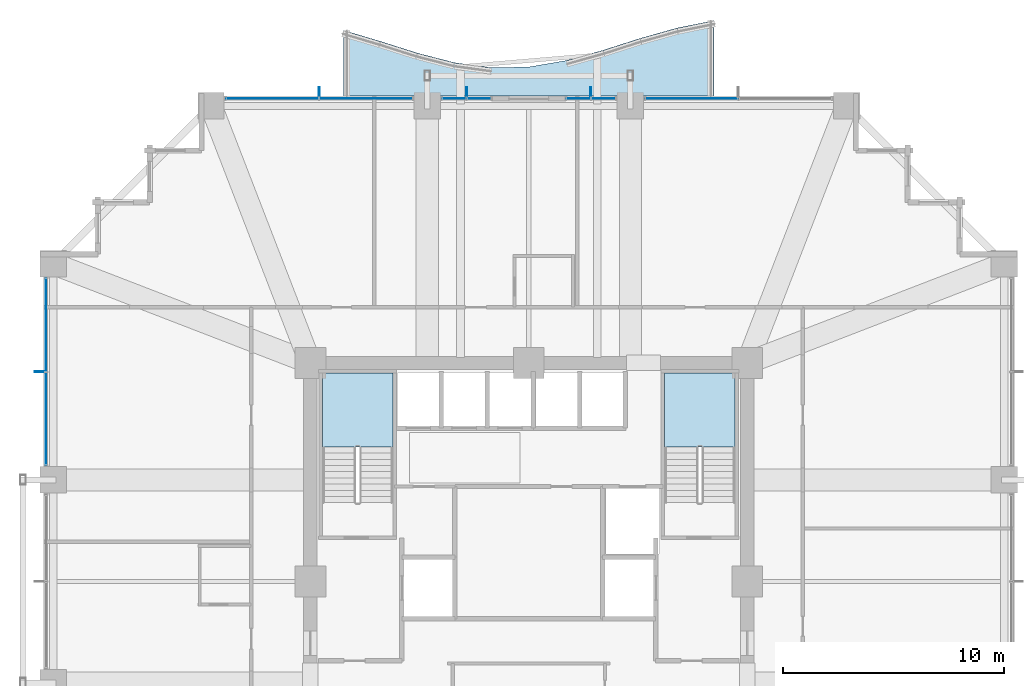
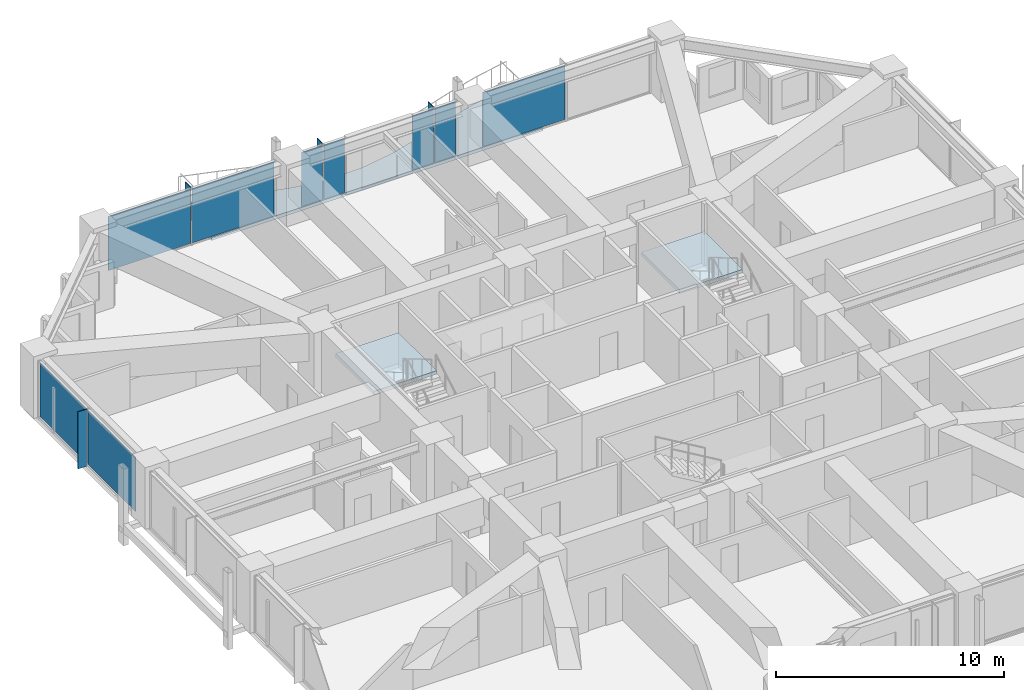
# One storey, part 29 of 37: 13 plates, 3 slabs, 7 elements without a shape of their own.
"""IFC4 building model written with IfcOpenShell, lengths in metres."""

from ifc_helpers import new_model, si_unit, direction, frame, origin, origin_2d, place, context, subcontext, project, spatial, polyline, rectangle, outline, extrude, material, layer, layer_set, type_object, element, aggregate, save


model = new_model("IFC4")

# Units and contexts
model_context = context("Model", 3, precision=1e-05, world=origin(), true_north=direction((0.0, 1.0)))
body_context = subcontext(model_context, "Body", "Model", "MODEL_VIEW")
ifc_project = project(units=[si_unit("LENGTHUNIT", "METRE"), si_unit("AREAUNIT", "SQUARE_METRE"), si_unit("VOLUMEUNIT", "CUBIC_METRE"), si_unit("PLANEANGLEUNIT", "RADIAN"), si_unit("MASSUNIT", "GRAM", prefix="KILO")], contexts=[model_context])

# Site, building, storey
site_placement = place(None, origin())
site = spatial("IfcSite", under=ifc_project, at=site_placement, CompositionType="ELEMENT")
building_placement = place(site_placement, origin())
building = spatial("IfcBuilding", under=site, at=building_placement, Name="Kolvaren Belvedere", CompositionType="ELEMENT")
storey_placement = place(building_placement, frame((0.0, 0.0, 43.60009765625)))
storey = spatial("IfcBuildingStorey", under=building, at=storey_placement, Name="L12", CompositionType="ELEMENT", Elevation=43.60009765625)

# Curtain wall, plates
ifc_material_1 = material(Name="Anodised pale-metal aluminium AA 6063-T6", Category="aluminium")
curtain_wall_type = type_object("IfcCurtainWallType", Name="CW-Z1-LOW", PredefinedType="NOTDEFINED", material=ifc_material_1)
curtain_wall_1_placement = place(storey_placement, origin())
curtain_wall_1 = element("IfcCurtainWall", 1, at=curtain_wall_1_placement, inside=storey, type_object=curtain_wall_type, Name="L12 Unitised Curtain Wall FCW-L12-N1-B1", PredefinedType="NOTDEFINED")
ifc_material_2 = material(Name="Low-iron triple insulated glass", Category="glass")
ifc_layer_1 = layer(ifc_material_2, 0.028076171875)
ifc_layer_set_1 = layer_set([ifc_layer_1], Name="Low-iron triple insulated glass")
plate_type_1 = type_object("IfcPlateType", Name="CW-PNL-VIS28", PredefinedType="CURTAIN_PANEL", material=ifc_layer_set_1)
plate_1_placement = place(storey_placement, frame((-11.62255859375, 21.8798828125, 0.079833984375), z_axis=(0.0, 0.0, 1.0), x_axis=(1.0, 0.0, 0.0)))
plate_1 = element("IfcPlate", 2, at=plate_1_placement, type_object=plate_type_1, Name="FCW-L12-N1-B1 Vision Glazing Panel 1", PredefinedType="CURTAIN_PANEL", context=body_context, shape_type="SweptSolid", body=[
    extrude(rectangle(XDim=4.1650390625, YDim=0.028076171875, at=origin_2d()), origin(), (0.0, 0.0, 1.0), 2.89990234375),
])
plate_2_placement = place(storey_placement, frame((-7.37744140625, 21.8798828125, 0.079833984375), z_axis=(0.0, 0.0, 1.0), x_axis=(1.0, 0.0, 0.0)))
plate_2 = element("IfcPlate", 3, at=plate_2_placement, type_object=plate_type_1, Name="FCW-L12-N1-B1 Vision Glazing Panel 2", PredefinedType="CURTAIN_PANEL", context=body_context, shape_type="SweptSolid", body=[
    extrude(rectangle(XDim=4.1650390625, YDim=0.028076171875, at=origin_2d()), origin(), (0.0, 0.0, 1.0), 2.89990234375),
])
aggregate(curtain_wall_1, [plate_1, plate_2])

curtain_wall_2_placement = place(storey_placement, origin())
curtain_wall_2 = element("IfcCurtainWall", 4, at=curtain_wall_2_placement, inside=storey, type_object=curtain_wall_type, Name="L12 Unitised Curtain Wall FCW-L12-N1-B2", PredefinedType="NOTDEFINED")
plate_3_placement = place(storey_placement, frame((-3.37890625, 21.8798828125, 0.079833984375), z_axis=(0.0, 0.0, 1.0), x_axis=(1.0, 0.0, 0.0)))
plate_3 = element("IfcPlate", 5, at=plate_3_placement, type_object=plate_type_1, Name="FCW-L12-N1-B2 Vision Glazing Panel 1", PredefinedType="CURTAIN_PANEL", context=body_context, shape_type="SweptSolid", body=[
    extrude(rectangle(XDim=1.052490234375, YDim=0.028076171875, at=origin_2d()), origin(), (0.0, 0.0, 1.0), 2.89990234375),
])
plate_4_placement = place(storey_placement, frame((-2.24609375, 21.8798828125, 0.079833984375), z_axis=(0.0, 0.0, 1.0), x_axis=(1.0, 0.0, 0.0)))
plate_4 = element("IfcPlate", 6, at=plate_4_placement, type_object=plate_type_1, Name="FCW-L12-N1-B2 Vision Glazing Panel 2", PredefinedType="CURTAIN_PANEL", context=body_context, shape_type="SweptSolid", body=[
    extrude(rectangle(XDim=1.052490234375, YDim=0.028076171875, at=origin_2d()), origin(), (0.0, 0.0, 1.0), 2.89990234375),
])
aggregate(curtain_wall_2, [plate_3, plate_4])

curtain_wall_3_placement = place(storey_placement, origin())
curtain_wall_3 = element("IfcCurtainWall", 7, at=curtain_wall_3_placement, inside=storey, type_object=curtain_wall_type, Name="L12 Unitised Curtain Wall FCW-L12-N2-B1", PredefinedType="NOTDEFINED")
plate_5_placement = place(storey_placement, frame((2.24609375, 21.8798828125, 0.079833984375), z_axis=(0.0, 0.0, 1.0), x_axis=(1.0, 0.0, 0.0)))
plate_5 = element("IfcPlate", 8, at=plate_5_placement, type_object=plate_type_1, Name="FCW-L12-N2-B1 Vision Glazing Panel 1", PredefinedType="CURTAIN_PANEL", context=body_context, shape_type="SweptSolid", body=[
    extrude(rectangle(XDim=1.052490234375, YDim=0.028076171875, at=origin_2d()), origin(), (0.0, 0.0, 1.0), 2.89990234375),
])
plate_6_placement = place(storey_placement, frame((3.378662109375, 21.8798828125, 0.079833984375), z_axis=(0.0, 0.0, 1.0), x_axis=(1.0, 0.0, 0.0)))
plate_6 = element("IfcPlate", 9, at=plate_6_placement, type_object=plate_type_1, Name="FCW-L12-N2-B1 Vision Glazing Panel 2", PredefinedType="CURTAIN_PANEL", context=body_context, shape_type="SweptSolid", body=[
    extrude(rectangle(XDim=1.052490234375, YDim=0.028076171875, at=origin_2d()), origin(), (0.0, 0.0, 1.0), 2.89990234375),
])
aggregate(curtain_wall_3, [plate_5, plate_6])

# Curtain wall, plate
curtain_wall_4_placement = place(storey_placement, origin())
curtain_wall_4 = element("IfcCurtainWall", 10, at=curtain_wall_4_placement, inside=storey, type_object=curtain_wall_type, Name="L12 Unitised Curtain Wall FCW-L12-N2-B2", PredefinedType="NOTDEFINED")
plate_7_placement = place(storey_placement, frame((7.37744140625, 21.8798828125, 0.079833984375), z_axis=(0.0, 0.0, 1.0), x_axis=(1.0, 0.0, 0.0)))
plate_7 = element("IfcPlate", 11, at=plate_7_placement, type_object=plate_type_1, Name="FCW-L12-N2-B2 Vision Glazing Panel 1", PredefinedType="CURTAIN_PANEL", context=body_context, shape_type="SweptSolid", body=[
    extrude(rectangle(XDim=4.1650390625, YDim=0.028076171875, at=origin_2d()), origin(), (0.0, 0.0, 1.0), 2.89990234375),
])
aggregate(curtain_wall_4, [plate_7])

# Curtain wall, plates
curtain_wall_5_placement = place(storey_placement, origin())
curtain_wall_5 = element("IfcCurtainWall", 12, at=curtain_wall_5_placement, inside=storey, type_object=curtain_wall_type, Name="L12 Unitised Curtain Wall FCW-L12-W-B3", PredefinedType="NOTDEFINED")
plate_8_placement = place(storey_placement, frame((-21.8798828125, 7.37744140625, 0.079833984375), z_axis=(0.0, 0.0, 1.0), x_axis=(0.0, 1.0, 0.0)))
plate_8 = element("IfcPlate", 13, at=plate_8_placement, type_object=plate_type_1, Name="FCW-L12-W-B3 Vision Glazing Panel 1", PredefinedType="CURTAIN_PANEL", context=body_context, shape_type="SweptSolid", body=[
    extrude(rectangle(XDim=4.1650390625, YDim=0.028076171875, at=origin_2d()), origin(), (0.0, 0.0, 1.0), 2.89990234375),
])
plate_9_placement = place(storey_placement, frame((-21.8798828125, 11.62255859375, 0.079833984375), z_axis=(0.0, 0.0, 1.0), x_axis=(0.0, 1.0, 0.0)))
plate_9 = element("IfcPlate", 14, at=plate_9_placement, type_object=plate_type_1, Name="FCW-L12-W-B3 Vision Glazing Panel 2", PredefinedType="CURTAIN_PANEL", context=body_context, shape_type="SweptSolid", body=[
    extrude(rectangle(XDim=4.1650390625, YDim=0.028076171875, at=origin_2d()), origin(), (0.0, 0.0, 1.0), 2.89990234375),
])
aggregate(curtain_wall_5, [plate_8, plate_9])

# Plates
ifc_material_3 = material(Name="Anodised pale-metal aluminium AA 6063-T6", Category="aluminium")
ifc_layer_2 = layer(ifc_material_3, 0.0380859375)
ifc_layer_set_2 = layer_set([ifc_layer_2], Name="Anodised pale-metal aluminium AA 6063-T6")
plate_type_2 = type_object("IfcPlateType", Name="FIN-VERT-450", PredefinedType="USERDEFINED", material=ifc_layer_set_2)
for number, where, z_axis, x_axis, name in (
    (15, (-9.5, 22.1650390625, -0.000244140625), (0.0, 0.0, 1.0), (0.0, 1.0, 0.0), "L12 Pale-Metal Vertical Shading Fin FCW-L12-N1-B1-1"),
    (16, (-2.8125, 22.1650390625, -0.000244140625), (0.0, 0.0, 1.0), (0.0, 1.0, 0.0), "L12 Pale-Metal Vertical Shading Fin FCW-L12-N1-B2-1"),
    (17, (2.8125, 22.1650390625, -0.000244140625), (0.0, 0.0, 1.0), (0.0, 1.0, 0.0), "L12 Pale-Metal Vertical Shading Fin FCW-L12-N2-B1-1"),
    (18, (-22.1650390625, 9.5, -0.000244140625), (0.0, 0.0, 1.0), (1.0, 0.0, 0.0), "L12 Pale-Metal Vertical Shading Fin FCW-L12-W-B3-1"),
):
    element("IfcPlate", number, at=place(storey_placement, frame(where, z_axis=z_axis, x_axis=x_axis)), inside=storey, type_object=plate_type_2, Name=name, ObjectType="VERTICAL FIN", PredefinedType="USERDEFINED", context=body_context, shape_type="SweptSolid", body=[
        extrude(rectangle(XDim=0.449951171875, YDim=0.0380859375, at=origin_2d()), origin(), (0.0, 0.0, 1.0), 3.06005859375),
    ])

# Slab
ifc_material_4 = material(Name="Concrete C50/60", Category="concrete")
ifc_layer_3 = layer(ifc_material_4, 0.179931640625)
ifc_layer_set_3 = layer_set([ifc_layer_3], Name="Concrete C50/60")
slab_type_1 = type_object("IfcSlabType", Name="SL-BAL-180", PredefinedType="FLOOR", material=ifc_layer_set_3)
slab_1_placement = place(storey_placement, frame((0.0, 0.0, -0.239990234375)))
element("IfcSlab", 19, at=slab_1_placement, inside=storey, type_object=slab_type_1, Name="L12 Planted Balcony BAL-N", PredefinedType="FLOOR", context=body_context, shape_type="SweptSolid", body=[
    extrude(outline(polyline([(-8.39990234375, 22.0), (-6.719970703125, 22.0), (-5.0400390625, 22.0), (-3.360107421875, 22.0), (-1.679931640625, 22.0), (0.0, 22.0), (1.679931640625, 22.0), (3.360107421875, 22.0), (5.0400390625, 22.0), (6.719970703125, 22.0), (8.39990234375, 22.0), (8.39990234375, 25.419921875), (6.719970703125, 25.079345703125), (5.0400390625, 24.608642578125), (3.360107421875, 24.0712890625), (1.679931640625, 23.6005859375), (0.0, 23.31298828125), (-1.679931640625, 23.279052734375), (-3.360107421875, 23.5078125), (-5.0400390625, 23.9423828125), (-6.719970703125, 24.475341796875), (-8.39990234375, 24.974853515625), (-8.39990234375, 22.0)])), origin(), (0.0, 0.0, 1.0), 0.179931640625),
])

# Stair, slab
ifc_material_5 = material(Name="Concrete C50/60", Category="concrete")
stair_type = type_object("IfcStairType", Name="ST-CORE-1520", PredefinedType="HALF_TURN_STAIR", material=ifc_material_5)
stair_1_placement = place(storey_placement, origin())
stair_1 = element("IfcStair", 20, at=stair_1_placement, inside=storey, type_object=stair_type, Name="L12 Protected Exit Stair ST-1", PredefinedType="HALF_TURN_STAIR")
ifc_material_6 = material(Name="Concrete C50/60", Category="concrete")
ifc_layer_4 = layer(ifc_material_6, 0.260009765625)
ifc_layer_set_4 = layer_set([ifc_layer_4], Name="Concrete C50/60")
slab_type_2 = type_object("IfcSlabType", Name="SL-LAND-260", PredefinedType="LANDING", material=ifc_layer_set_4)
slab_2_placement = place(storey_placement, frame((0.0, 0.0, 1.449951171875)))
slab_2 = element("IfcSlab", 21, at=slab_2_placement, type_object=slab_type_2, Name="ST-1 landing 1", PredefinedType="LANDING", context=body_context, shape_type="SweptSolid", body=[
    extrude(outline(polyline([(-6.159912109375, 6.090087890625), (-6.159912109375, 9.449951171875), (-9.35009765625, 9.449951171875), (-9.35009765625, 6.090087890625), (-6.159912109375, 6.090087890625)])), origin(), (0.0, 0.0, 1.0), 0.199951171875),
])
aggregate(stair_1, [slab_2])

stair_2_placement = place(storey_placement, origin())
stair_2 = element("IfcStair", 22, at=stair_2_placement, inside=storey, type_object=stair_type, Name="L12 Protected Exit Stair ST-2", PredefinedType="HALF_TURN_STAIR")
slab_3_placement = place(storey_placement, frame((0.0, 0.0, 1.449951171875)))
slab_3 = element("IfcSlab", 23, at=slab_3_placement, type_object=slab_type_2, Name="ST-2 landing 1", PredefinedType="LANDING", context=body_context, shape_type="SweptSolid", body=[
    extrude(outline(polyline([(9.35009765625, 6.090087890625), (9.35009765625, 9.449951171875), (6.159912109375, 9.449951171875), (6.159912109375, 6.090087890625), (9.35009765625, 6.090087890625)])), origin(), (0.0, 0.0, 1.0), 0.199951171875),
])
aggregate(stair_2, [slab_3])

save(model, "model.ifc")
